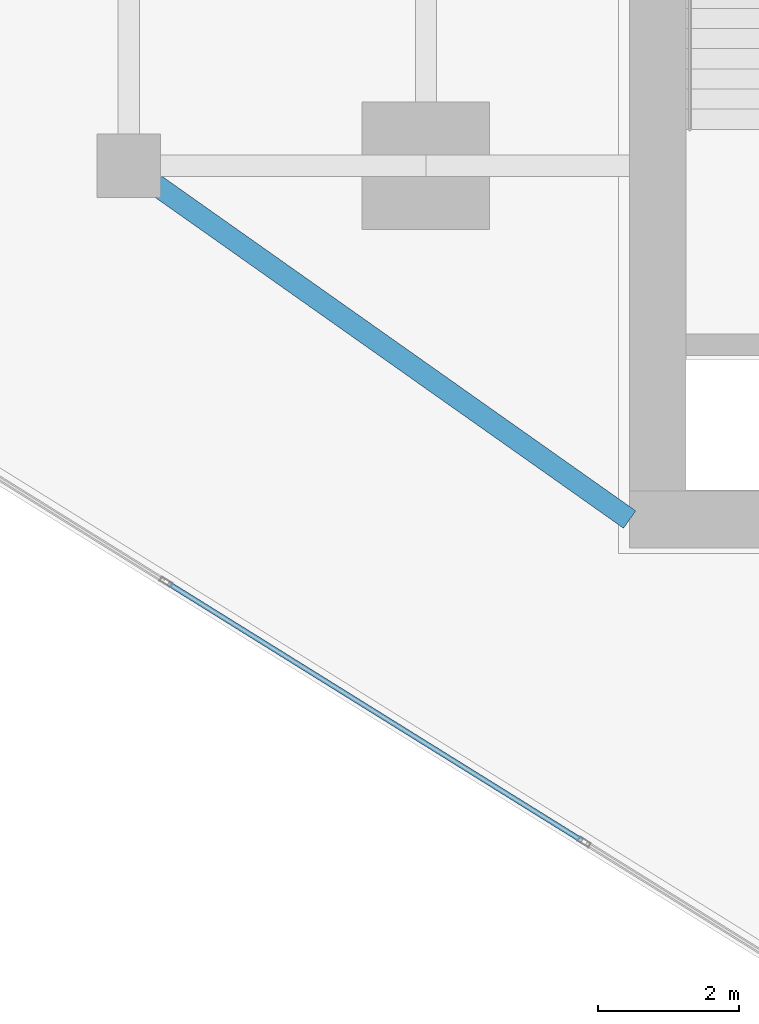
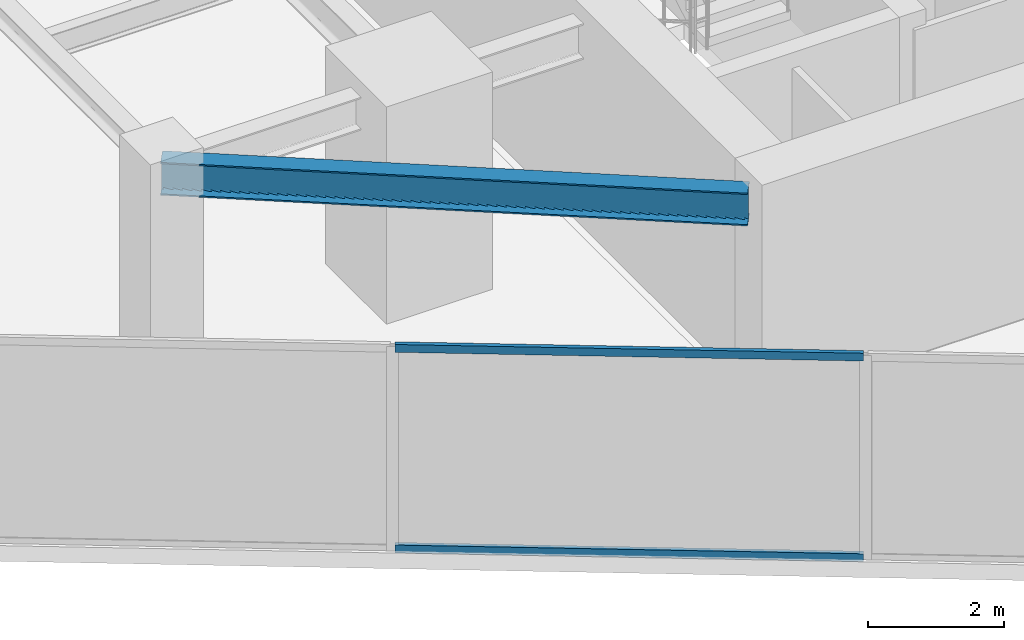
# One storey, part 4 of 26: 2 members, 1 beam, 1 element without a shape of its own.
"""IFC4 building model written with IfcOpenShell, lengths in metres."""

from ifc_helpers import new_model, si_unit, direction, frame, origin, origin_2d, place, context, subcontext, project, spatial, hollow_rectangle, i_section, extrude, source, transform, mapped, material, material_profile, profile_set, type_object, type_shapes, element, aggregate, save


model = new_model("IFC4")

# Units and contexts
model_context = context("Model", 3, precision=1e-05, world=origin(), true_north=direction((0.0, 1.0)))
body_context = subcontext(model_context, "Body", "Model", "MODEL_VIEW")
ifc_project = project(units=[si_unit("LENGTHUNIT", "METRE"), si_unit("AREAUNIT", "SQUARE_METRE"), si_unit("VOLUMEUNIT", "CUBIC_METRE"), si_unit("PLANEANGLEUNIT", "RADIAN"), si_unit("MASSUNIT", "GRAM", prefix="KILO")], contexts=[model_context])

# Site, building, storey
site_placement = place(None, origin())
site = spatial("IfcSite", under=ifc_project, at=site_placement, CompositionType="ELEMENT")
building_placement = place(site_placement, origin())
building = spatial("IfcBuilding", under=site, at=building_placement, Name="Krantzveldt Concourse Tower", CompositionType="ELEMENT")
storey_placement = place(building_placement, frame((0.0, 0.0, 173.85009765625)))
storey = spatial("IfcBuildingStorey", under=building, at=storey_placement, Name="L42", CompositionType="ELEMENT", Elevation=173.85009765625)

# Beam
ifc_material_1 = material(Name="Steel S355JR", Category="steel")
ifc_material_profile_1 = material_profile(ifc_material_1, i_section(OverallWidth=0.300048828125, OverallDepth=0.590087890625, WebThickness=0.012939453125, FlangeThickness=0.02490234375, FilletRadius=0.027099609375, at=origin_2d()), Name="Steel S355JR", Category="steel")
ifc_profile_set_1 = profile_set([ifc_material_profile_1], Name="Steel S355JR - HEA 600")
beam_type = type_object("IfcBeamType", Name="BM-B-HEA600", PredefinedType="BEAM", material=ifc_profile_set_1)
shared_shape_1 = source(origin(), body_context, "Body", "SweptSolid", [
    extrude(i_section(OverallWidth=0.300048828125, OverallDepth=0.590087890625, WebThickness=0.012939453125, FlangeThickness=0.02490234375, FilletRadius=0.027099609375, at=origin_2d()), origin(), (0.0, 0.0, 1.0), 8.667724609375),
])
type_shapes(beam_type, [shared_shape_1])
beam_placement = place(storey_placement, frame((21.0, 15.89990234375, 3.375), z_axis=(0.81684294656, -0.576860122261, 0.0), x_axis=(0.576860122261, 0.81684294656, 0.0)))
element("IfcBeam", 1, at=beam_placement, inside=storey, type_object=beam_type, Name="L42 Tower Girder BR-CSW", PredefinedType="BEAM", context=body_context, shape_type="MappedRepresentation", body=[
    mapped(shared_shape_1, transform((0.0, 0.0, 0.0), x_axis=(1.0, 0.0, 0.0), y_axis=(0.0, 1.0, 0.0), z_axis=(0.0, 0.0, 1.0), scale=1.0)),
])

# Curtain wall, members
ifc_material_2 = material(Name="Anodised aluminium 6063-T6", Category="aluminium")
curtain_wall_type = type_object("IfcCurtainWallType", Name="CW3", PredefinedType="USERDEFINED", material=ifc_material_2)
curtain_wall_placement = place(storey_placement, origin())
curtain_wall = element("IfcCurtainWall", 2, at=curtain_wall_placement, inside=storey, type_object=curtain_wall_type, Name="CW-L42-F04", ObjectType="UNITISED CURTAIN WALL", PredefinedType="USERDEFINED")
ifc_material_profile_2 = material_profile(ifc_material_2, hollow_rectangle(XDim=0.070068359375, YDim=0.139892578125, WallThickness=0.0048828125, at=origin_2d()), Name="Anodised aluminium 6063-T6", Category="aluminium")
ifc_profile_set_2 = profile_set([ifc_material_profile_2], Name="Anodised aluminium 6063-T6 - ALU-TRAN 140x70x5")
member_type = type_object("IfcMemberType", Name="CW-TRN-150", PredefinedType="USERDEFINED", material=ifc_profile_set_2)
shared_shape_2 = source(origin(), body_context, "Body", "SweptSolid", [
    extrude(hollow_rectangle(XDim=0.070068359375, YDim=0.139892578125, WallThickness=0.0048828125, at=origin_2d()), origin(), (0.0, 0.0, 1.0), 6.89013671875),
])
type_shapes(member_type, [shared_shape_2])
member_1_placement = place(storey_placement, frame((21.557373046875, 9.998046875, 0.034912109375), z_axis=(0.849202443437, -0.528067429464, 0.0), x_axis=(0.528067429464, 0.849202443437, 0.0)))
member_1 = element("IfcMember", 3, at=member_1_placement, type_object=member_type, Name="CW-Z34 transom 3.1", ObjectType="TRANSOM", PredefinedType="USERDEFINED", context=body_context, shape_type="MappedRepresentation", body=[
    mapped(shared_shape_2, transform((0.0, 0.0, 0.0), x_axis=(1.0, 0.0, 0.0), y_axis=(0.0, 1.0, 0.0), z_axis=(0.0, 0.0, 1.0), scale=1.0)),
])
member_2_placement = place(storey_placement, frame((21.557373046875, 9.998046875, 3.635009765625), z_axis=(0.849202443437, -0.528067429464, 0.0), x_axis=(0.528067429464, 0.849202443437, 0.0)))
member_2 = element("IfcMember", 4, at=member_2_placement, type_object=member_type, Name="CW-Z34 transom 3.2", ObjectType="TRANSOM", PredefinedType="USERDEFINED", context=body_context, shape_type="MappedRepresentation", body=[
    mapped(shared_shape_2, transform((0.0, 0.0, 0.0), x_axis=(1.0, 0.0, 0.0), y_axis=(0.0, 1.0, 0.0), z_axis=(0.0, 0.0, 1.0), scale=1.0)),
])
aggregate(curtain_wall, [member_1, member_2])

save(model, "model.ifc")
